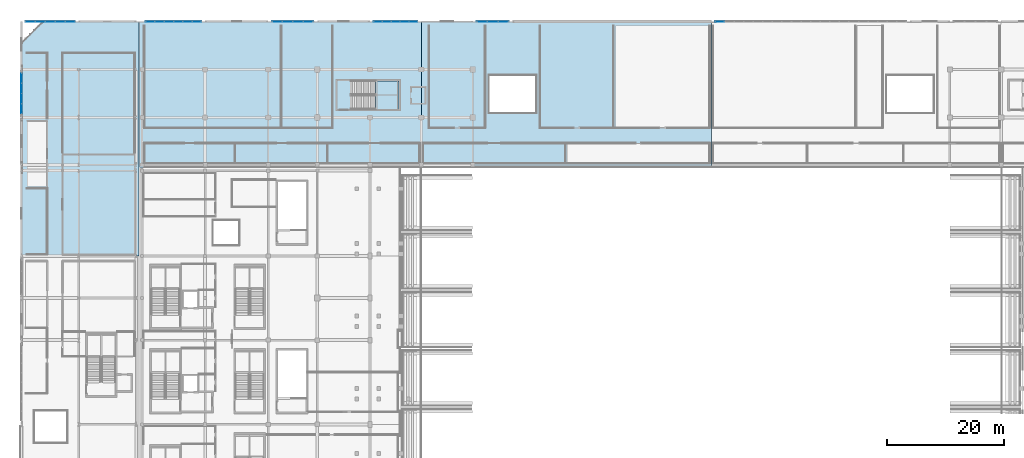
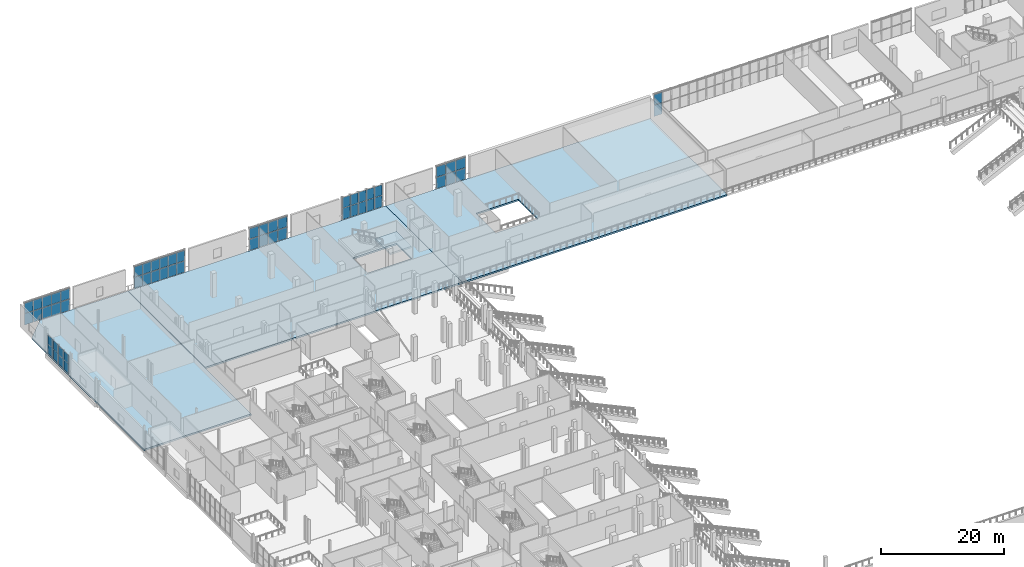
# One storey, part 66 of 129: 56 plates, 4 slabs, 8 elements without a shape of their own.
"""IFC4 building model written with IfcOpenShell, lengths in metres."""

from ifc_helpers import new_model, si_unit, direction, frame, origin, origin_2d, place, context, subcontext, project, spatial, polyline, rectangle, outline, extrude, material, layer, layer_set, type_object, element, aggregate, save


model = new_model("IFC4")

# Units and contexts
model_context = context("Model", 3, precision=1e-05, world=origin(), true_north=direction((0.0, 1.0)))
body_context = subcontext(model_context, "Body", "Model", "MODEL_VIEW")
ifc_project = project(units=[si_unit("LENGTHUNIT", "METRE"), si_unit("AREAUNIT", "SQUARE_METRE"), si_unit("VOLUMEUNIT", "CUBIC_METRE"), si_unit("PLANEANGLEUNIT", "RADIAN"), si_unit("MASSUNIT", "GRAM", prefix="KILO")], contexts=[model_context])

# Site, building, storey
site_placement = place(None, origin())
site = spatial("IfcSite", under=ifc_project, at=site_placement, CompositionType="ELEMENT")
building_placement = place(site_placement, origin())
building = spatial("IfcBuilding", under=site, at=building_placement, Name="Koshinbarg Plaza Stadium", CompositionType="ELEMENT")
storey_placement = place(building_placement, frame((0.0, 0.0, 5.39990234375)))
storey = spatial("IfcBuildingStorey", under=building, at=storey_placement, Name="L01", CompositionType="ELEMENT", Elevation=5.39990234375)

# Curtain wall, plates
ifc_material_1 = material(Name="Thermally broken anodised aluminium and low-E double glazing", Category="aluminium")
curtain_wall_type_1 = type_object("IfcCurtainWallType", Name="CW-SYS-09", PredefinedType="NOTDEFINED", material=ifc_material_1)
curtain_wall_1_placement = place(storey_placement, origin())
curtain_wall_1 = element("IfcCurtainWall", 1, at=curtain_wall_1_placement, inside=storey, type_object=curtain_wall_type_1, Name="L01 unitised curtain wall CW-L01-008", PredefinedType="NOTDEFINED")
ifc_material_2 = material(Name="Solar-control low-E double glazing unit", Category="glass")
ifc_layer_1 = layer(ifc_material_2, 0.028076171875)
ifc_layer_set_1 = layer_set([ifc_layer_1], Name="Solar-control low-E double glazing unit")
plate_type_1 = type_object("IfcPlateType", Name="CW-PNL-28", PredefinedType="CURTAIN_PANEL", material=ifc_layer_set_1)
plate_1_placement = place(storey_placement, frame((4.0, 137.10498046875, 0.06005859375), z_axis=(0.0, 0.0, 1.0), x_axis=(0.0, 1.0, 0.0)))
plate_1 = element("IfcPlate", 2, at=plate_1_placement, type_object=plate_type_1, Name="CW09 panel 1.1", PredefinedType="CURTAIN_PANEL", context=body_context, shape_type="SweptSolid", body=[
    extrude(rectangle(XDim=1.64990234375, YDim=0.028076171875, at=origin_2d()), origin(), (0.0, 0.0, 1.0), 1.87548828125),
])
plate_2_placement = place(storey_placement, frame((4.0, 137.10498046875, 1.99560546875), z_axis=(0.0, 0.0, 1.0), x_axis=(0.0, 1.0, 0.0)))
plate_2 = element("IfcPlate", 3, at=plate_2_placement, type_object=plate_type_1, Name="CW09 panel 1.2", PredefinedType="CURTAIN_PANEL", context=body_context, shape_type="SweptSolid", body=[
    extrude(rectangle(XDim=1.64990234375, YDim=0.028076171875, at=origin_2d()), origin(), (0.0, 0.0, 1.0), 1.724365234375),
])
plate_3_placement = place(storey_placement, frame((4.0, 138.830078125, 0.06005859375), z_axis=(0.0, 0.0, 1.0), x_axis=(0.0, 1.0, 0.0)))
plate_3 = element("IfcPlate", 4, at=plate_3_placement, type_object=plate_type_1, Name="CW09 panel 2.1", PredefinedType="CURTAIN_PANEL", context=body_context, shape_type="SweptSolid", body=[
    extrude(rectangle(XDim=1.679931640625, YDim=0.028076171875, at=origin_2d()), origin(), (0.0, 0.0, 1.0), 1.87548828125),
])
plate_4_placement = place(storey_placement, frame((4.0, 138.830078125, 1.99560546875), z_axis=(0.0, 0.0, 1.0), x_axis=(0.0, 1.0, 0.0)))
plate_4 = element("IfcPlate", 5, at=plate_4_placement, type_object=plate_type_1, Name="CW09 panel 2.2", PredefinedType="CURTAIN_PANEL", context=body_context, shape_type="SweptSolid", body=[
    extrude(rectangle(XDim=1.679931640625, YDim=0.028076171875, at=origin_2d()), origin(), (0.0, 0.0, 1.0), 1.724365234375),
])
plate_5_placement = place(storey_placement, frame((4.0, 140.570068359375, 0.06005859375), z_axis=(0.0, 0.0, 1.0), x_axis=(0.0, 1.0, 0.0)))
plate_5 = element("IfcPlate", 6, at=plate_5_placement, type_object=plate_type_1, Name="CW09 panel 3.1", PredefinedType="CURTAIN_PANEL", context=body_context, shape_type="SweptSolid", body=[
    extrude(rectangle(XDim=1.679931640625, YDim=0.028076171875, at=origin_2d()), origin(), (0.0, 0.0, 1.0), 1.87548828125),
])
plate_6_placement = place(storey_placement, frame((4.0, 140.570068359375, 1.99560546875), z_axis=(0.0, 0.0, 1.0), x_axis=(0.0, 1.0, 0.0)))
plate_6 = element("IfcPlate", 7, at=plate_6_placement, type_object=plate_type_1, Name="CW09 panel 3.2", PredefinedType="CURTAIN_PANEL", context=body_context, shape_type="SweptSolid", body=[
    extrude(rectangle(XDim=1.679931640625, YDim=0.028076171875, at=origin_2d()), origin(), (0.0, 0.0, 1.0), 1.724365234375),
])
plate_7_placement = place(storey_placement, frame((4.0, 142.294921875, 0.06005859375), z_axis=(0.0, 0.0, 1.0), x_axis=(0.0, 1.0, 0.0)))
plate_7 = element("IfcPlate", 8, at=plate_7_placement, type_object=plate_type_1, Name="CW09 panel 4.1", PredefinedType="CURTAIN_PANEL", context=body_context, shape_type="SweptSolid", body=[
    extrude(rectangle(XDim=1.64990234375, YDim=0.028076171875, at=origin_2d()), origin(), (0.0, 0.0, 1.0), 1.87548828125),
])
plate_8_placement = place(storey_placement, frame((4.0, 142.294921875, 1.99560546875), z_axis=(0.0, 0.0, 1.0), x_axis=(0.0, 1.0, 0.0)))
plate_8 = element("IfcPlate", 9, at=plate_8_placement, type_object=plate_type_1, Name="CW09 panel 4.2", PredefinedType="CURTAIN_PANEL", context=body_context, shape_type="SweptSolid", body=[
    extrude(rectangle(XDim=1.64990234375, YDim=0.028076171875, at=origin_2d()), origin(), (0.0, 0.0, 1.0), 1.724365234375),
])
aggregate(curtain_wall_1, [plate_1, plate_2, plate_3, plate_4, plate_5, plate_6, plate_7, plate_8])

curtain_wall_type_2 = type_object("IfcCurtainWallType", Name="CW-SYS-11", PredefinedType="NOTDEFINED", material=ifc_material_1)
curtain_wall_2_placement = place(storey_placement, origin())
curtain_wall_2 = element("IfcCurtainWall", 10, at=curtain_wall_2_placement, inside=storey, type_object=curtain_wall_type_2, Name="L01 unitised curtain wall CW-L01-010", PredefinedType="NOTDEFINED")
plate_9_placement = place(storey_placement, frame((26.03173828125, 152.0, 0.06005859375), z_axis=(0.0, 0.0, 1.0), x_axis=(1.0, 0.0, 0.0)))
plate_9 = element("IfcPlate", 11, at=plate_9_placement, type_object=plate_type_1, Name="CW11 panel 1.1", PredefinedType="CURTAIN_PANEL", context=body_context, shape_type="SweptSolid", body=[
    extrude(rectangle(XDim=1.50341796875, YDim=0.028076171875, at=origin_2d()), origin(), (0.0, 0.0, 1.0), 2.239501953125),
])
plate_10_placement = place(storey_placement, frame((26.03173828125, 152.0, 2.35986328125), z_axis=(0.0, 0.0, 1.0), x_axis=(1.0, 0.0, 0.0)))
plate_10 = element("IfcPlate", 12, at=plate_10_placement, type_object=plate_type_1, Name="CW11 panel 1.2", PredefinedType="CURTAIN_PANEL", context=body_context, shape_type="SweptSolid", body=[
    extrude(rectangle(XDim=1.50341796875, YDim=0.028076171875, at=origin_2d()), origin(), (0.0, 0.0, 1.0), 2.060302734375),
])
plate_11_placement = place(storey_placement, frame((27.610107421875, 152.0, 0.06005859375), z_axis=(0.0, 0.0, 1.0), x_axis=(1.0, 0.0, 0.0)))
plate_11 = element("IfcPlate", 13, at=plate_11_placement, type_object=plate_type_1, Name="CW11 panel 2.1", PredefinedType="CURTAIN_PANEL", context=body_context, shape_type="SweptSolid", body=[
    extrude(rectangle(XDim=1.533447265625, YDim=0.028076171875, at=origin_2d()), origin(), (0.0, 0.0, 1.0), 2.239501953125),
])
plate_12_placement = place(storey_placement, frame((27.610107421875, 152.0, 2.35986328125), z_axis=(0.0, 0.0, 1.0), x_axis=(1.0, 0.0, 0.0)))
plate_12 = element("IfcPlate", 14, at=plate_12_placement, type_object=plate_type_1, Name="CW11 panel 2.2", PredefinedType="CURTAIN_PANEL", context=body_context, shape_type="SweptSolid", body=[
    extrude(rectangle(XDim=1.533447265625, YDim=0.028076171875, at=origin_2d()), origin(), (0.0, 0.0, 1.0), 2.060302734375),
])
plate_13_placement = place(storey_placement, frame((29.203369140625, 152.0, 0.06005859375), z_axis=(0.0, 0.0, 1.0), x_axis=(1.0, 0.0, 0.0)))
plate_13 = element("IfcPlate", 15, at=plate_13_placement, type_object=plate_type_1, Name="CW11 panel 3.1", PredefinedType="CURTAIN_PANEL", context=body_context, shape_type="SweptSolid", body=[
    extrude(rectangle(XDim=1.533447265625, YDim=0.028076171875, at=origin_2d()), origin(), (0.0, 0.0, 1.0), 2.239501953125),
])
plate_14_placement = place(storey_placement, frame((29.203369140625, 152.0, 2.35986328125), z_axis=(0.0, 0.0, 1.0), x_axis=(1.0, 0.0, 0.0)))
plate_14 = element("IfcPlate", 16, at=plate_14_placement, type_object=plate_type_1, Name="CW11 panel 3.2", PredefinedType="CURTAIN_PANEL", context=body_context, shape_type="SweptSolid", body=[
    extrude(rectangle(XDim=1.533447265625, YDim=0.028076171875, at=origin_2d()), origin(), (0.0, 0.0, 1.0), 2.060302734375),
])
plate_15_placement = place(storey_placement, frame((30.796630859375, 152.0, 0.06005859375), z_axis=(0.0, 0.0, 1.0), x_axis=(1.0, 0.0, 0.0)))
plate_15 = element("IfcPlate", 17, at=plate_15_placement, type_object=plate_type_1, Name="CW11 panel 4.1", PredefinedType="CURTAIN_PANEL", context=body_context, shape_type="SweptSolid", body=[
    extrude(rectangle(XDim=1.533447265625, YDim=0.028076171875, at=origin_2d()), origin(), (0.0, 0.0, 1.0), 2.239501953125),
])
plate_16_placement = place(storey_placement, frame((30.796630859375, 152.0, 2.35986328125), z_axis=(0.0, 0.0, 1.0), x_axis=(1.0, 0.0, 0.0)))
plate_16 = element("IfcPlate", 18, at=plate_16_placement, type_object=plate_type_1, Name="CW11 panel 4.2", PredefinedType="CURTAIN_PANEL", context=body_context, shape_type="SweptSolid", body=[
    extrude(rectangle(XDim=1.533447265625, YDim=0.028076171875, at=origin_2d()), origin(), (0.0, 0.0, 1.0), 2.060302734375),
])
plate_17_placement = place(storey_placement, frame((32.389892578125, 152.0, 0.06005859375), z_axis=(0.0, 0.0, 1.0), x_axis=(1.0, 0.0, 0.0)))
plate_17 = element("IfcPlate", 19, at=plate_17_placement, type_object=plate_type_1, Name="CW11 panel 5.1", PredefinedType="CURTAIN_PANEL", context=body_context, shape_type="SweptSolid", body=[
    extrude(rectangle(XDim=1.533447265625, YDim=0.028076171875, at=origin_2d()), origin(), (0.0, 0.0, 1.0), 2.239501953125),
])
plate_18_placement = place(storey_placement, frame((32.389892578125, 152.0, 2.35986328125), z_axis=(0.0, 0.0, 1.0), x_axis=(1.0, 0.0, 0.0)))
plate_18 = element("IfcPlate", 20, at=plate_18_placement, type_object=plate_type_1, Name="CW11 panel 5.2", PredefinedType="CURTAIN_PANEL", context=body_context, shape_type="SweptSolid", body=[
    extrude(rectangle(XDim=1.533447265625, YDim=0.028076171875, at=origin_2d()), origin(), (0.0, 0.0, 1.0), 2.060302734375),
])
plate_19_placement = place(storey_placement, frame((33.96826171875, 152.0, 0.06005859375), z_axis=(0.0, 0.0, 1.0), x_axis=(1.0, 0.0, 0.0)))
plate_19 = element("IfcPlate", 21, at=plate_19_placement, type_object=plate_type_1, Name="CW11 panel 6.1", PredefinedType="CURTAIN_PANEL", context=body_context, shape_type="SweptSolid", body=[
    extrude(rectangle(XDim=1.50341796875, YDim=0.028076171875, at=origin_2d()), origin(), (0.0, 0.0, 1.0), 2.239501953125),
])
plate_20_placement = place(storey_placement, frame((33.96826171875, 152.0, 2.35986328125), z_axis=(0.0, 0.0, 1.0), x_axis=(1.0, 0.0, 0.0)))
plate_20 = element("IfcPlate", 22, at=plate_20_placement, type_object=plate_type_1, Name="CW11 panel 6.2", PredefinedType="CURTAIN_PANEL", context=body_context, shape_type="SweptSolid", body=[
    extrude(rectangle(XDim=1.50341796875, YDim=0.028076171875, at=origin_2d()), origin(), (0.0, 0.0, 1.0), 2.060302734375),
])
aggregate(curtain_wall_2, [plate_9, plate_10, plate_11, plate_12, plate_13, plate_14, plate_15, plate_16, plate_17, plate_18, plate_19, plate_20])

curtain_wall_type_3 = type_object("IfcCurtainWallType", Name="CW-SYS-13", PredefinedType="NOTDEFINED", material=ifc_material_1)
curtain_wall_3_placement = place(storey_placement, origin())
curtain_wall_3 = element("IfcCurtainWall", 23, at=curtain_wall_3_placement, inside=storey, type_object=curtain_wall_type_3, Name="L01 unitised curtain wall CW-L01-012", PredefinedType="NOTDEFINED")
plate_21_placement = place(storey_placement, frame((64.990966796875, 152.0, 0.06005859375), z_axis=(0.0, 0.0, 1.0), x_axis=(1.0, 0.0, 0.0)))
plate_21 = element("IfcPlate", 24, at=plate_21_placement, type_object=plate_type_1, Name="CW13 panel 1.1", PredefinedType="CURTAIN_PANEL", context=body_context, shape_type="SweptSolid", body=[
    extrude(rectangle(XDim=1.422119140625, YDim=0.028076171875, at=origin_2d()), origin(), (0.0, 0.0, 1.0), 2.239501953125),
])
plate_22_placement = place(storey_placement, frame((64.990966796875, 152.0, 2.35986328125), z_axis=(0.0, 0.0, 1.0), x_axis=(1.0, 0.0, 0.0)))
plate_22 = element("IfcPlate", 25, at=plate_22_placement, type_object=plate_type_1, Name="CW13 panel 1.2", PredefinedType="CURTAIN_PANEL", context=body_context, shape_type="SweptSolid", body=[
    extrude(rectangle(XDim=1.422119140625, YDim=0.028076171875, at=origin_2d()), origin(), (0.0, 0.0, 1.0), 2.060302734375),
])
plate_23_placement = place(storey_placement, frame((66.488037109375, 152.0, 0.06005859375), z_axis=(0.0, 0.0, 1.0), x_axis=(1.0, 0.0, 0.0)))
plate_23 = element("IfcPlate", 26, at=plate_23_placement, type_object=plate_type_1, Name="CW13 panel 2.1", PredefinedType="CURTAIN_PANEL", context=body_context, shape_type="SweptSolid", body=[
    extrude(rectangle(XDim=1.451904296875, YDim=0.028076171875, at=origin_2d()), origin(), (0.0, 0.0, 1.0), 2.239501953125),
])
plate_24_placement = place(storey_placement, frame((66.488037109375, 152.0, 2.35986328125), z_axis=(0.0, 0.0, 1.0), x_axis=(1.0, 0.0, 0.0)))
plate_24 = element("IfcPlate", 27, at=plate_24_placement, type_object=plate_type_1, Name="CW13 panel 2.2", PredefinedType="CURTAIN_PANEL", context=body_context, shape_type="SweptSolid", body=[
    extrude(rectangle(XDim=1.451904296875, YDim=0.028076171875, at=origin_2d()), origin(), (0.0, 0.0, 1.0), 2.060302734375),
])
plate_25_placement = place(storey_placement, frame((68.0, 152.0, 0.06005859375), z_axis=(0.0, 0.0, 1.0), x_axis=(1.0, 0.0, 0.0)))
plate_25 = element("IfcPlate", 28, at=plate_25_placement, type_object=plate_type_1, Name="CW13 panel 3.1", PredefinedType="CURTAIN_PANEL", context=body_context, shape_type="SweptSolid", body=[
    extrude(rectangle(XDim=1.451904296875, YDim=0.028076171875, at=origin_2d()), origin(), (0.0, 0.0, 1.0), 2.239501953125),
])
plate_26_placement = place(storey_placement, frame((68.0, 152.0, 2.35986328125), z_axis=(0.0, 0.0, 1.0), x_axis=(1.0, 0.0, 0.0)))
plate_26 = element("IfcPlate", 29, at=plate_26_placement, type_object=plate_type_1, Name="CW13 panel 3.2", PredefinedType="CURTAIN_PANEL", context=body_context, shape_type="SweptSolid", body=[
    extrude(rectangle(XDim=1.451904296875, YDim=0.028076171875, at=origin_2d()), origin(), (0.0, 0.0, 1.0), 2.060302734375),
])
plate_27_placement = place(storey_placement, frame((69.511962890625, 152.0, 0.06005859375), z_axis=(0.0, 0.0, 1.0), x_axis=(1.0, 0.0, 0.0)))
plate_27 = element("IfcPlate", 30, at=plate_27_placement, type_object=plate_type_1, Name="CW13 panel 4.1", PredefinedType="CURTAIN_PANEL", context=body_context, shape_type="SweptSolid", body=[
    extrude(rectangle(XDim=1.451904296875, YDim=0.028076171875, at=origin_2d()), origin(), (0.0, 0.0, 1.0), 2.239501953125),
])
plate_28_placement = place(storey_placement, frame((69.511962890625, 152.0, 2.35986328125), z_axis=(0.0, 0.0, 1.0), x_axis=(1.0, 0.0, 0.0)))
plate_28 = element("IfcPlate", 31, at=plate_28_placement, type_object=plate_type_1, Name="CW13 panel 4.2", PredefinedType="CURTAIN_PANEL", context=body_context, shape_type="SweptSolid", body=[
    extrude(rectangle(XDim=1.451904296875, YDim=0.028076171875, at=origin_2d()), origin(), (0.0, 0.0, 1.0), 2.060302734375),
])
plate_29_placement = place(storey_placement, frame((71.009033203125, 152.0, 0.06005859375), z_axis=(0.0, 0.0, 1.0), x_axis=(1.0, 0.0, 0.0)))
plate_29 = element("IfcPlate", 32, at=plate_29_placement, type_object=plate_type_1, Name="CW13 panel 5.1", PredefinedType="CURTAIN_PANEL", context=body_context, shape_type="SweptSolid", body=[
    extrude(rectangle(XDim=1.422119140625, YDim=0.028076171875, at=origin_2d()), origin(), (0.0, 0.0, 1.0), 2.239501953125),
])
plate_30_placement = place(storey_placement, frame((71.009033203125, 152.0, 2.35986328125), z_axis=(0.0, 0.0, 1.0), x_axis=(1.0, 0.0, 0.0)))
plate_30 = element("IfcPlate", 33, at=plate_30_placement, type_object=plate_type_1, Name="CW13 panel 5.2", PredefinedType="CURTAIN_PANEL", context=body_context, shape_type="SweptSolid", body=[
    extrude(rectangle(XDim=1.422119140625, YDim=0.028076171875, at=origin_2d()), origin(), (0.0, 0.0, 1.0), 2.060302734375),
])
aggregate(curtain_wall_3, [plate_21, plate_22, plate_23, plate_24, plate_25, plate_26, plate_27, plate_28, plate_29, plate_30])

curtain_wall_type_4 = type_object("IfcCurtainWallType", Name="CW-SYS-15", PredefinedType="NOTDEFINED", material=ifc_material_1)
curtain_wall_4_placement = place(storey_placement, origin())
curtain_wall_4 = element("IfcCurtainWall", 34, at=curtain_wall_4_placement, inside=storey, type_object=curtain_wall_type_4, Name="L01 unitised curtain wall CW-L01-014", PredefinedType="NOTDEFINED")
plate_31_placement = place(storey_placement, frame((123.4541015625, 152.0, 0.06005859375), z_axis=(0.0, 0.0, 1.0), x_axis=(1.0, 0.0, 0.0)))
plate_31 = element("IfcPlate", 35, at=plate_31_placement, type_object=plate_type_1, Name="CW15 panel 1.1", PredefinedType="CURTAIN_PANEL", context=body_context, shape_type="SweptSolid", body=[
    extrude(rectangle(XDim=1.548095703125, YDim=0.028076171875, at=origin_2d()), origin(), (0.0, 0.0, 1.0), 2.239501953125),
])
plate_32_placement = place(storey_placement, frame((123.4541015625, 152.0, 2.35986328125), z_axis=(0.0, 0.0, 1.0), x_axis=(1.0, 0.0, 0.0)))
plate_32 = element("IfcPlate", 36, at=plate_32_placement, type_object=plate_type_1, Name="CW15 panel 1.2", PredefinedType="CURTAIN_PANEL", context=body_context, shape_type="SweptSolid", body=[
    extrude(rectangle(XDim=1.548095703125, YDim=0.028076171875, at=origin_2d()), origin(), (0.0, 0.0, 1.0), 2.060302734375),
])
aggregate(curtain_wall_4, [plate_31, plate_32])

curtain_wall_type_5 = type_object("IfcCurtainWallType", Name="CW-SYS-10", PredefinedType="NOTDEFINED", material=ifc_material_1)
curtain_wall_5_placement = place(storey_placement, origin())
curtain_wall_5 = element("IfcCurtainWall", 37, at=curtain_wall_5_placement, inside=storey, type_object=curtain_wall_type_5, Name="L01 unitised curtain wall CW-L01-009", PredefinedType="NOTDEFINED")
ifc_material_3 = material(Name="Acoustic solar-control double glazing unit", Category="glass")
ifc_layer_2 = layer(ifc_material_3, 0.031982421875)
ifc_layer_set_2 = layer_set([ifc_layer_2], Name="Acoustic solar-control double glazing unit")
plate_type_2 = type_object("IfcPlateType", Name="CW-PNL-32", PredefinedType="CURTAIN_PANEL", material=ifc_layer_set_2)
plate_33_placement = place(storey_placement, frame((5.490966796875, 152.0, 0.06005859375), z_axis=(0.0, 0.0, 1.0), x_axis=(1.0, 0.0, 0.0)))
plate_33 = element("IfcPlate", 38, at=plate_33_placement, type_object=plate_type_2, Name="CW10 panel 1.1", PredefinedType="CURTAIN_PANEL", context=body_context, shape_type="SweptSolid", body=[
    extrude(rectangle(XDim=1.6220703125, YDim=0.031982421875, at=origin_2d()), origin(), (0.0, 0.0, 1.0), 2.239501953125),
])
plate_34_placement = place(storey_placement, frame((5.490966796875, 152.0, 2.35986328125), z_axis=(0.0, 0.0, 1.0), x_axis=(1.0, 0.0, 0.0)))
plate_34 = element("IfcPlate", 39, at=plate_34_placement, type_object=plate_type_2, Name="CW10 panel 1.2", PredefinedType="CURTAIN_PANEL", context=body_context, shape_type="SweptSolid", body=[
    extrude(rectangle(XDim=1.6220703125, YDim=0.031982421875, at=origin_2d()), origin(), (0.0, 0.0, 1.0), 2.060302734375),
])
plate_35_placement = place(storey_placement, frame((7.18798828125, 152.0, 0.06005859375), z_axis=(0.0, 0.0, 1.0), x_axis=(1.0, 0.0, 0.0)))
plate_35 = element("IfcPlate", 40, at=plate_35_placement, type_object=plate_type_2, Name="CW10 panel 2.1", PredefinedType="CURTAIN_PANEL", context=body_context, shape_type="SweptSolid", body=[
    extrude(rectangle(XDim=1.652099609375, YDim=0.031982421875, at=origin_2d()), origin(), (0.0, 0.0, 1.0), 2.239501953125),
])
plate_36_placement = place(storey_placement, frame((7.18798828125, 152.0, 2.35986328125), z_axis=(0.0, 0.0, 1.0), x_axis=(1.0, 0.0, 0.0)))
plate_36 = element("IfcPlate", 41, at=plate_36_placement, type_object=plate_type_2, Name="CW10 panel 2.2", PredefinedType="CURTAIN_PANEL", context=body_context, shape_type="SweptSolid", body=[
    extrude(rectangle(XDim=1.652099609375, YDim=0.031982421875, at=origin_2d()), origin(), (0.0, 0.0, 1.0), 2.060302734375),
])
plate_37_placement = place(storey_placement, frame((8.89990234375, 152.0, 0.06005859375), z_axis=(0.0, 0.0, 1.0), x_axis=(1.0, 0.0, 0.0)))
plate_37 = element("IfcPlate", 42, at=plate_37_placement, type_object=plate_type_2, Name="CW10 panel 3.1", PredefinedType="CURTAIN_PANEL", context=body_context, shape_type="SweptSolid", body=[
    extrude(rectangle(XDim=1.652099609375, YDim=0.031982421875, at=origin_2d()), origin(), (0.0, 0.0, 1.0), 2.239501953125),
])
plate_38_placement = place(storey_placement, frame((8.89990234375, 152.0, 2.35986328125), z_axis=(0.0, 0.0, 1.0), x_axis=(1.0, 0.0, 0.0)))
plate_38 = element("IfcPlate", 43, at=plate_38_placement, type_object=plate_type_2, Name="CW10 panel 3.2", PredefinedType="CURTAIN_PANEL", context=body_context, shape_type="SweptSolid", body=[
    extrude(rectangle(XDim=1.652099609375, YDim=0.031982421875, at=origin_2d()), origin(), (0.0, 0.0, 1.0), 2.060302734375),
])
plate_39_placement = place(storey_placement, frame((10.612060546875, 152.0, 0.06005859375), z_axis=(0.0, 0.0, 1.0), x_axis=(1.0, 0.0, 0.0)))
plate_39 = element("IfcPlate", 44, at=plate_39_placement, type_object=plate_type_2, Name="CW10 panel 4.1", PredefinedType="CURTAIN_PANEL", context=body_context, shape_type="SweptSolid", body=[
    extrude(rectangle(XDim=1.652099609375, YDim=0.031982421875, at=origin_2d()), origin(), (0.0, 0.0, 1.0), 2.239501953125),
])
plate_40_placement = place(storey_placement, frame((10.612060546875, 152.0, 2.35986328125), z_axis=(0.0, 0.0, 1.0), x_axis=(1.0, 0.0, 0.0)))
plate_40 = element("IfcPlate", 45, at=plate_40_placement, type_object=plate_type_2, Name="CW10 panel 4.2", PredefinedType="CURTAIN_PANEL", context=body_context, shape_type="SweptSolid", body=[
    extrude(rectangle(XDim=1.652099609375, YDim=0.031982421875, at=origin_2d()), origin(), (0.0, 0.0, 1.0), 2.060302734375),
])
plate_41_placement = place(storey_placement, frame((12.30908203125, 152.0, 0.06005859375), z_axis=(0.0, 0.0, 1.0), x_axis=(1.0, 0.0, 0.0)))
plate_41 = element("IfcPlate", 46, at=plate_41_placement, type_object=plate_type_2, Name="CW10 panel 5.1", PredefinedType="CURTAIN_PANEL", context=body_context, shape_type="SweptSolid", body=[
    extrude(rectangle(XDim=1.6220703125, YDim=0.031982421875, at=origin_2d()), origin(), (0.0, 0.0, 1.0), 2.239501953125),
])
plate_42_placement = place(storey_placement, frame((12.30908203125, 152.0, 2.35986328125), z_axis=(0.0, 0.0, 1.0), x_axis=(1.0, 0.0, 0.0)))
plate_42 = element("IfcPlate", 47, at=plate_42_placement, type_object=plate_type_2, Name="CW10 panel 5.2", PredefinedType="CURTAIN_PANEL", context=body_context, shape_type="SweptSolid", body=[
    extrude(rectangle(XDim=1.6220703125, YDim=0.031982421875, at=origin_2d()), origin(), (0.0, 0.0, 1.0), 2.060302734375),
])
aggregate(curtain_wall_5, [plate_33, plate_34, plate_35, plate_36, plate_37, plate_38, plate_39, plate_40, plate_41, plate_42])

curtain_wall_type_6 = type_object("IfcCurtainWallType", Name="CW-SYS-12", PredefinedType="NOTDEFINED", material=ifc_material_1)
curtain_wall_6_placement = place(storey_placement, origin())
curtain_wall_6 = element("IfcCurtainWall", 48, at=curtain_wall_6_placement, inside=storey, type_object=curtain_wall_type_6, Name="L01 unitised curtain wall CW-L01-011", PredefinedType="NOTDEFINED")
plate_43_placement = place(storey_placement, frame((47.72998046875, 152.0, 0.06005859375), z_axis=(0.0, 0.0, 1.0), x_axis=(1.0, 0.0, 0.0)))
plate_43 = element("IfcPlate", 49, at=plate_43_placement, type_object=plate_type_2, Name="CW12 panel 1.1", PredefinedType="CURTAIN_PANEL", context=body_context, shape_type="SweptSolid", body=[
    extrude(rectangle(XDim=1.699951171875, YDim=0.031982421875, at=origin_2d()), origin(), (0.0, 0.0, 1.0), 2.239501953125),
])
plate_44_placement = place(storey_placement, frame((47.72998046875, 152.0, 2.35986328125), z_axis=(0.0, 0.0, 1.0), x_axis=(1.0, 0.0, 0.0)))
plate_44 = element("IfcPlate", 50, at=plate_44_placement, type_object=plate_type_2, Name="CW12 panel 1.2", PredefinedType="CURTAIN_PANEL", context=body_context, shape_type="SweptSolid", body=[
    extrude(rectangle(XDim=1.699951171875, YDim=0.031982421875, at=origin_2d()), origin(), (0.0, 0.0, 1.0), 2.060302734375),
])
plate_45_placement = place(storey_placement, frame((49.5048828125, 152.0, 0.06005859375), z_axis=(0.0, 0.0, 1.0), x_axis=(1.0, 0.0, 0.0)))
plate_45 = element("IfcPlate", 51, at=plate_45_placement, type_object=plate_type_2, Name="CW12 panel 2.1", PredefinedType="CURTAIN_PANEL", context=body_context, shape_type="SweptSolid", body=[
    extrude(rectangle(XDim=1.72998046875, YDim=0.031982421875, at=origin_2d()), origin(), (0.0, 0.0, 1.0), 2.239501953125),
])
plate_46_placement = place(storey_placement, frame((49.5048828125, 152.0, 2.35986328125), z_axis=(0.0, 0.0, 1.0), x_axis=(1.0, 0.0, 0.0)))
plate_46 = element("IfcPlate", 52, at=plate_46_placement, type_object=plate_type_2, Name="CW12 panel 2.2", PredefinedType="CURTAIN_PANEL", context=body_context, shape_type="SweptSolid", body=[
    extrude(rectangle(XDim=1.72998046875, YDim=0.031982421875, at=origin_2d()), origin(), (0.0, 0.0, 1.0), 2.060302734375),
])
plate_47_placement = place(storey_placement, frame((51.294921875, 152.0, 0.06005859375), z_axis=(0.0, 0.0, 1.0), x_axis=(1.0, 0.0, 0.0)))
plate_47 = element("IfcPlate", 53, at=plate_47_placement, type_object=plate_type_2, Name="CW12 panel 3.1", PredefinedType="CURTAIN_PANEL", context=body_context, shape_type="SweptSolid", body=[
    extrude(rectangle(XDim=1.72998046875, YDim=0.031982421875, at=origin_2d()), origin(), (0.0, 0.0, 1.0), 2.239501953125),
])
plate_48_placement = place(storey_placement, frame((51.294921875, 152.0, 2.35986328125), z_axis=(0.0, 0.0, 1.0), x_axis=(1.0, 0.0, 0.0)))
plate_48 = element("IfcPlate", 54, at=plate_48_placement, type_object=plate_type_2, Name="CW12 panel 3.2", PredefinedType="CURTAIN_PANEL", context=body_context, shape_type="SweptSolid", body=[
    extrude(rectangle(XDim=1.72998046875, YDim=0.031982421875, at=origin_2d()), origin(), (0.0, 0.0, 1.0), 2.060302734375),
])
plate_49_placement = place(storey_placement, frame((53.070068359375, 152.0, 0.06005859375), z_axis=(0.0, 0.0, 1.0), x_axis=(1.0, 0.0, 0.0)))
plate_49 = element("IfcPlate", 55, at=plate_49_placement, type_object=plate_type_2, Name="CW12 panel 4.1", PredefinedType="CURTAIN_PANEL", context=body_context, shape_type="SweptSolid", body=[
    extrude(rectangle(XDim=1.699951171875, YDim=0.031982421875, at=origin_2d()), origin(), (0.0, 0.0, 1.0), 2.239501953125),
])
plate_50_placement = place(storey_placement, frame((53.070068359375, 152.0, 2.35986328125), z_axis=(0.0, 0.0, 1.0), x_axis=(1.0, 0.0, 0.0)))
plate_50 = element("IfcPlate", 56, at=plate_50_placement, type_object=plate_type_2, Name="CW12 panel 4.2", PredefinedType="CURTAIN_PANEL", context=body_context, shape_type="SweptSolid", body=[
    extrude(rectangle(XDim=1.699951171875, YDim=0.031982421875, at=origin_2d()), origin(), (0.0, 0.0, 1.0), 2.060302734375),
])
aggregate(curtain_wall_6, [plate_43, plate_44, plate_45, plate_46, plate_47, plate_48, plate_49, plate_50])

curtain_wall_type_7 = type_object("IfcCurtainWallType", Name="CW-SYS-14", PredefinedType="NOTDEFINED", material=ifc_material_1)
curtain_wall_7_placement = place(storey_placement, origin())
curtain_wall_7 = element("IfcCurtainWall", 57, at=curtain_wall_7_placement, inside=storey, type_object=curtain_wall_type_7, Name="L01 unitised curtain wall CW-L01-013", PredefinedType="NOTDEFINED")
plate_51_placement = place(storey_placement, frame((82.76171875, 152.0, 0.06005859375), z_axis=(0.0, 0.0, 1.0), x_axis=(1.0, 0.0, 0.0)))
plate_51 = element("IfcPlate", 58, at=plate_51_placement, type_object=plate_type_2, Name="CW14 panel 1.1", PredefinedType="CURTAIN_PANEL", context=body_context, shape_type="SweptSolid", body=[
    extrude(rectangle(XDim=1.763427734375, YDim=0.031982421875, at=origin_2d()), origin(), (0.0, 0.0, 1.0), 2.239501953125),
])
plate_52_placement = place(storey_placement, frame((82.76171875, 152.0, 2.35986328125), z_axis=(0.0, 0.0, 1.0), x_axis=(1.0, 0.0, 0.0)))
plate_52 = element("IfcPlate", 59, at=plate_52_placement, type_object=plate_type_2, Name="CW14 panel 1.2", PredefinedType="CURTAIN_PANEL", context=body_context, shape_type="SweptSolid", body=[
    extrude(rectangle(XDim=1.763427734375, YDim=0.031982421875, at=origin_2d()), origin(), (0.0, 0.0, 1.0), 2.060302734375),
])
plate_53_placement = place(storey_placement, frame((84.60009765625, 152.0, 0.06005859375), z_axis=(0.0, 0.0, 1.0), x_axis=(1.0, 0.0, 0.0)))
plate_53 = element("IfcPlate", 60, at=plate_53_placement, type_object=plate_type_2, Name="CW14 panel 2.1", PredefinedType="CURTAIN_PANEL", context=body_context, shape_type="SweptSolid", body=[
    extrude(rectangle(XDim=1.793212890625, YDim=0.031982421875, at=origin_2d()), origin(), (0.0, 0.0, 1.0), 2.239501953125),
])
plate_54_placement = place(storey_placement, frame((84.60009765625, 152.0, 2.35986328125), z_axis=(0.0, 0.0, 1.0), x_axis=(1.0, 0.0, 0.0)))
plate_54 = element("IfcPlate", 61, at=plate_54_placement, type_object=plate_type_2, Name="CW14 panel 2.2", PredefinedType="CURTAIN_PANEL", context=body_context, shape_type="SweptSolid", body=[
    extrude(rectangle(XDim=1.793212890625, YDim=0.031982421875, at=origin_2d()), origin(), (0.0, 0.0, 1.0), 2.060302734375),
])
plate_55_placement = place(storey_placement, frame((86.438232421875, 152.0, 0.06005859375), z_axis=(0.0, 0.0, 1.0), x_axis=(1.0, 0.0, 0.0)))
plate_55 = element("IfcPlate", 62, at=plate_55_placement, type_object=plate_type_2, Name="CW14 panel 3.1", PredefinedType="CURTAIN_PANEL", context=body_context, shape_type="SweptSolid", body=[
    extrude(rectangle(XDim=1.763427734375, YDim=0.031982421875, at=origin_2d()), origin(), (0.0, 0.0, 1.0), 2.239501953125),
])
plate_56_placement = place(storey_placement, frame((86.438232421875, 152.0, 2.35986328125), z_axis=(0.0, 0.0, 1.0), x_axis=(1.0, 0.0, 0.0)))
plate_56 = element("IfcPlate", 63, at=plate_56_placement, type_object=plate_type_2, Name="CW14 panel 3.2", PredefinedType="CURTAIN_PANEL", context=body_context, shape_type="SweptSolid", body=[
    extrude(rectangle(XDim=1.763427734375, YDim=0.031982421875, at=origin_2d()), origin(), (0.0, 0.0, 1.0), 2.060302734375),
])
aggregate(curtain_wall_7, [plate_51, plate_52, plate_53, plate_54, plate_55, plate_56])

# Slabs
ifc_material_4 = material(Name="Concrete C35/45", Category="concrete")
ifc_layer_3 = layer(ifc_material_4, 0.320068359375)
ifc_layer_set_3 = layer_set([ifc_layer_3], Name="Concrete C35/45")
slab_type_1 = type_object("IfcSlabType", Name="SL-FLR-320", PredefinedType="FLOOR", material=ifc_layer_set_3)
slab_1_placement = place(storey_placement, frame((0.0, 0.0, -0.31982421875)))
element("IfcSlab", 64, at=slab_1_placement, inside=storey, type_object=slab_type_1, Name="L01 V3 structural slab 9", PredefinedType="FLOOR", context=body_context, shape_type="SweptSolid", body=[
    extrude(outline(polyline([(24.14501953125, 127.044921875), (72.39990234375, 127.044921875), (72.39990234375, 152.0), (24.14501953125, 152.0), (24.14501953125, 127.044921875)]), holes=[polyline([(60.360107421875, 137.0), (68.60009765625, 137.0), (68.60009765625, 141.8701171875), (60.360107421875, 141.8701171875), (60.360107421875, 137.0)])]), origin(), (0.0, 0.0, 1.0), 0.31982421875),
])
slab_2_placement = place(storey_placement, frame((0.0, 0.0, -0.31982421875)))
element("IfcSlab", 65, at=slab_2_placement, inside=storey, type_object=slab_type_1, Name="L01 V3 structural slab 10", PredefinedType="FLOOR", context=body_context, shape_type="SweptSolid", body=[
    extrude(outline(polyline([(72.39990234375, 127.044921875), (122.0, 127.044921875), (122.0, 152.0), (72.39990234375, 152.0), (72.39990234375, 127.044921875)]), holes=[polyline([(84.0, 136.39990234375), (92.0, 136.39990234375), (92.0, 142.800048828125), (84.0, 142.800048828125), (84.0, 136.39990234375)])]), origin(), (0.0, 0.0, 1.0), 0.31982421875),
])
slab_3_placement = place(storey_placement, frame((0.0, 0.0, -0.31982421875)))
element("IfcSlab", 66, at=slab_3_placement, inside=storey, type_object=slab_type_1, Name="L01 V5 structural slab 20", PredefinedType="FLOOR", context=body_context, shape_type="SweptSolid", body=[
    extrude(outline(polyline([(4.0, 111.89990234375), (24.054931640625, 111.89990234375), (24.054931640625, 152.0), (7.60009765625, 152.0), (4.0, 148.39990234375), (4.0, 111.89990234375)])), origin(), (0.0, 0.0, 1.0), 0.31982421875),
])

# Stair, slab
stair_type = type_object("IfcStairType", Name="ST-CORE-48", PredefinedType="HALF_TURN_STAIR", material=ifc_material_4)
stair_placement = place(storey_placement, origin())
stair = element("IfcStair", 67, at=stair_placement, inside=storey, type_object=stair_type, Name="L01 Protected Exit Stair C11", PredefinedType="HALF_TURN_STAIR")
ifc_layer_4 = layer(ifc_material_4, 0.320068359375)
ifc_layer_set_4 = layer_set([ifc_layer_4], Name="Concrete C35/45")
slab_type_2 = type_object("IfcSlabType", Name="SL-STLAND-280", PredefinedType="LANDING", material=ifc_layer_set_4)
slab_4_placement = place(storey_placement, frame((0.0, 0.0, 2.080078125)))
slab_4 = element("IfcSlab", 68, at=slab_4_placement, type_object=slab_type_2, Name="L01 Protected Exit Stair C11 landing 058", PredefinedType="LANDING", context=body_context, shape_type="SweptSolid", body=[
    extrude(outline(polyline([(64.56005859375, 137.0), (68.60009765625, 137.0), (68.60009765625, 141.8701171875), (64.56005859375, 141.8701171875), (64.56005859375, 137.0)])), origin(), (0.0, 0.0, 1.0), 0.320068359375),
])
aggregate(stair, [slab_4])

save(model, "model.ifc")
